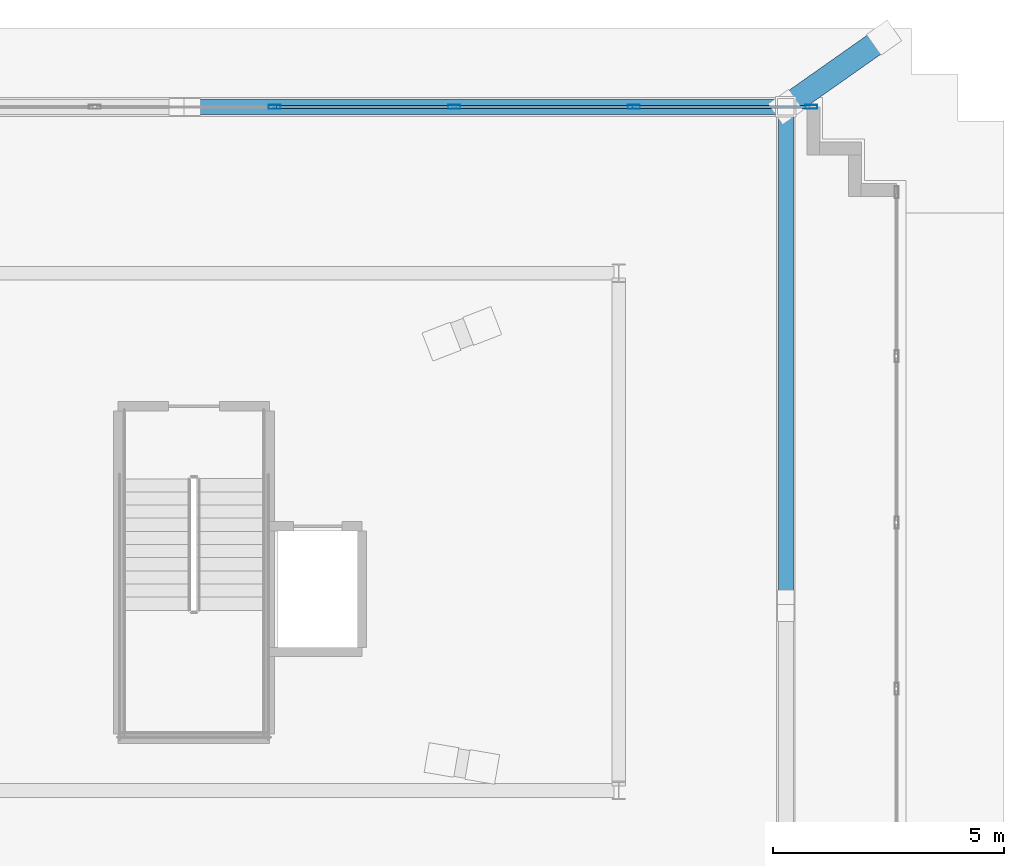
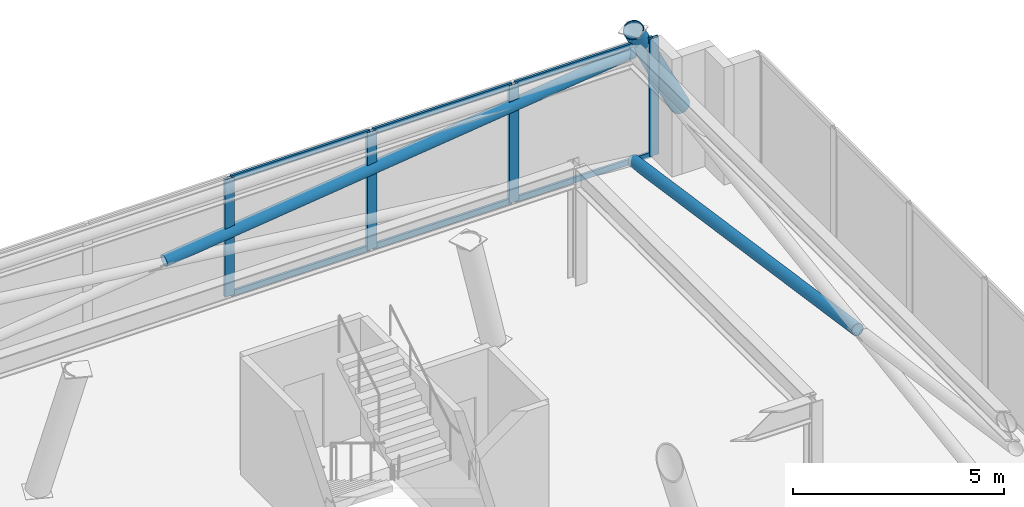
# One storey, part 9 of 15: 13 members, 1 element without a shape of its own.
"""IFC4 building model written with IfcOpenShell, lengths in metres."""

from ifc_helpers import new_model, si_unit, direction, frame, origin, origin_2d, place, context, subcontext, project, spatial, hollow_rectangle, hollow_circle, extrude, material, layer, layer_set, material_profile, profile_set, type_object, element, aggregate, save


model = new_model("IFC4")

# Units and contexts
model_context = context("Model", 3, precision=1e-05, world=origin(), true_north=direction((0.0, 1.0)))
body_context = subcontext(model_context, "Body", "Model", "MODEL_VIEW")
ifc_project = project(units=[si_unit("LENGTHUNIT", "METRE"), si_unit("AREAUNIT", "SQUARE_METRE"), si_unit("VOLUMEUNIT", "CUBIC_METRE"), si_unit("PLANEANGLEUNIT", "RADIAN"), si_unit("MASSUNIT", "GRAM", prefix="KILO")], contexts=[model_context])

# Site, building, storey
site_placement = place(None, origin())
site = spatial("IfcSite", under=ifc_project, at=site_placement, CompositionType="ELEMENT")
building_placement = place(site_placement, origin())
building = spatial("IfcBuilding", under=site, at=building_placement, Name="Qobustan Lattice House", CompositionType="ELEMENT")
storey_placement = place(building_placement, frame((0.0, 0.0, 281.60009765625)))
storey = spatial("IfcBuildingStorey", under=building, at=storey_placement, Name="L79", CompositionType="ELEMENT", Elevation=281.60009765625)

# Curtain wall, members
ifc_material_1 = material(Name="Anodised aluminium and low-E glazing", Category="aluminium")
ifc_layer = layer(ifc_material_1, 0.219970703125)
ifc_layer_set = layer_set([ifc_layer], Name="Anodised aluminium and low-E glazing")
curtain_wall_type = type_object("IfcCurtainWallType", Name="CW-CRN-01", PredefinedType="USERDEFINED", material=ifc_layer_set)
curtain_wall_placement = place(storey_placement, origin())
curtain_wall = element("IfcCurtainWall", 1, at=curtain_wall_placement, inside=storey, type_object=curtain_wall_type, Name="L79 glass-point crown faceted curtain wall 10", ObjectType="CURTAIN WALL", PredefinedType="USERDEFINED")
ifc_material_2 = material(Name="Anodised aluminium EN AW-6063 T6", Category="aluminium")
ifc_material_profile_1 = material_profile(ifc_material_2, hollow_rectangle(XDim=0.090087890625, YDim=0.260009765625, WallThickness=0.006103515625, at=origin_2d()), Name="CWM-CROWN-260x90")
ifc_profile_set_1 = profile_set([ifc_material_profile_1], Name="Anodised aluminium EN AW-6063 T6")
member_type_1 = type_object("IfcMemberType", Name="CWM-CRN-260", PredefinedType="MULLION", material=ifc_profile_set_1)
member_1_placement = place(storey_placement, frame((1.74560546875, 9.205078125, 0.0), z_axis=(0.0, 0.0, 1.0), x_axis=(0.0, 1.0, 0.0)))
member_1 = element("IfcMember", 2, at=member_1_placement, type_object=member_type_1, Name="CW-CR mullion 5", PredefinedType="MULLION", context=body_context, shape_type="SweptSolid", body=[
    extrude(hollow_rectangle(XDim=0.090087890625, YDim=0.260009765625, WallThickness=0.006103515625, at=origin_2d()), origin(), (0.0, 0.0, 1.0), 3.39990234375),
])
member_2_placement = place(storey_placement, frame((5.63720703125, 9.205078125, 0.0), z_axis=(0.0, 0.0, 1.0), x_axis=(0.0, 1.0, 0.0)))
member_2 = element("IfcMember", 3, at=member_2_placement, type_object=member_type_1, Name="CW-CR mullion 6", PredefinedType="MULLION", context=body_context, shape_type="SweptSolid", body=[
    extrude(hollow_rectangle(XDim=0.090087890625, YDim=0.260009765625, WallThickness=0.006103515625, at=origin_2d()), origin(), (0.0, 0.0, 1.0), 3.39990234375),
])
member_3_placement = place(storey_placement, frame((9.528564453125, 9.205078125, 0.0), z_axis=(0.0, 0.0, 1.0), x_axis=(0.0, 1.0, 0.0)))
member_3 = element("IfcMember", 4, at=member_3_placement, type_object=member_type_1, Name="CW-CR mullion 7", PredefinedType="MULLION", context=body_context, shape_type="SweptSolid", body=[
    extrude(hollow_rectangle(XDim=0.090087890625, YDim=0.260009765625, WallThickness=0.006103515625, at=origin_2d()), origin(), (0.0, 0.0, 1.0), 3.39990234375),
])
member_4_placement = place(storey_placement, frame((13.375, 9.205078125, 0.0), z_axis=(0.0, 0.0, 1.0), x_axis=(0.0, 1.0, 0.0)))
member_4 = element("IfcMember", 5, at=member_4_placement, type_object=member_type_1, Name="CW-CR mullion 8", PredefinedType="MULLION", context=body_context, shape_type="SweptSolid", body=[
    extrude(hollow_rectangle(XDim=0.090087890625, YDim=0.260009765625, WallThickness=0.006103515625, at=origin_2d()), origin(), (0.0, 0.0, 1.0), 3.39990234375),
])
ifc_material_3 = material(Name="Anodised aluminium EN AW-6063 T6", Category="aluminium")
ifc_material_profile_2 = material_profile(ifc_material_3, hollow_rectangle(XDim=0.06494140625, YDim=0.159912109375, WallThickness=0.00390625, at=origin_2d()), Name="CWT-160x65")
ifc_profile_set_2 = profile_set([ifc_material_profile_2], Name="Anodised aluminium EN AW-6063 T6")
member_type_2 = type_object("IfcMemberType", Name="CWT-HOR-160", PredefinedType="USERDEFINED", material=ifc_profile_set_2)
member_5_placement = place(storey_placement, frame((1.790771484375, 9.205078125, 0.032470703125), z_axis=(1.0, 0.0, 0.0), x_axis=(0.0, 1.0, 0.0)))
member_5 = element("IfcMember", 6, at=member_5_placement, type_object=member_type_2, Name="CW-CR transom 5.1", ObjectType="TRANSOM", PredefinedType="USERDEFINED", context=body_context, shape_type="SweptSolid", body=[
    extrude(hollow_rectangle(XDim=0.06494140625, YDim=0.159912109375, WallThickness=0.00390625, at=origin_2d()), origin(), (0.0, 0.0, 1.0), 3.80126953125),
])
member_6_placement = place(storey_placement, frame((1.790771484375, 9.205078125, 3.367431640625), z_axis=(1.0, 0.0, 0.0), x_axis=(0.0, 1.0, 0.0)))
member_6 = element("IfcMember", 7, at=member_6_placement, type_object=member_type_2, Name="CW-CR transom 5.2", ObjectType="TRANSOM", PredefinedType="USERDEFINED", context=body_context, shape_type="SweptSolid", body=[
    extrude(hollow_rectangle(XDim=0.06494140625, YDim=0.159912109375, WallThickness=0.00390625, at=origin_2d()), origin(), (0.0, 0.0, 1.0), 3.80126953125),
])
member_7_placement = place(storey_placement, frame((5.68212890625, 9.205078125, 0.032470703125), z_axis=(1.0, 0.0, 0.0), x_axis=(0.0, 1.0, 0.0)))
member_7 = element("IfcMember", 8, at=member_7_placement, type_object=member_type_2, Name="CW-CR transom 6.1", ObjectType="TRANSOM", PredefinedType="USERDEFINED", context=body_context, shape_type="SweptSolid", body=[
    extrude(hollow_rectangle(XDim=0.06494140625, YDim=0.159912109375, WallThickness=0.00390625, at=origin_2d()), origin(), (0.0, 0.0, 1.0), 3.801513671875),
])
member_8_placement = place(storey_placement, frame((5.68212890625, 9.205078125, 3.367431640625), z_axis=(1.0, 0.0, 0.0), x_axis=(0.0, 1.0, 0.0)))
member_8 = element("IfcMember", 9, at=member_8_placement, type_object=member_type_2, Name="CW-CR transom 6.2", ObjectType="TRANSOM", PredefinedType="USERDEFINED", context=body_context, shape_type="SweptSolid", body=[
    extrude(hollow_rectangle(XDim=0.06494140625, YDim=0.159912109375, WallThickness=0.00390625, at=origin_2d()), origin(), (0.0, 0.0, 1.0), 3.801513671875),
])
member_9_placement = place(storey_placement, frame((9.573486328125, 9.205078125, 0.032470703125), z_axis=(1.0, 0.0, 0.0), x_axis=(0.0, 1.0, 0.0)))
member_9 = element("IfcMember", 10, at=member_9_placement, type_object=member_type_2, Name="CW-CR transom 7.1", ObjectType="TRANSOM", PredefinedType="USERDEFINED", context=body_context, shape_type="SweptSolid", body=[
    extrude(hollow_rectangle(XDim=0.06494140625, YDim=0.159912109375, WallThickness=0.00390625, at=origin_2d()), origin(), (0.0, 0.0, 1.0), 3.756591796875),
])
member_10_placement = place(storey_placement, frame((9.573486328125, 9.205078125, 3.367431640625), z_axis=(1.0, 0.0, 0.0), x_axis=(0.0, 1.0, 0.0)))
member_10 = element("IfcMember", 11, at=member_10_placement, type_object=member_type_2, Name="CW-CR transom 7.2", ObjectType="TRANSOM", PredefinedType="USERDEFINED", context=body_context, shape_type="SweptSolid", body=[
    extrude(hollow_rectangle(XDim=0.06494140625, YDim=0.159912109375, WallThickness=0.00390625, at=origin_2d()), origin(), (0.0, 0.0, 1.0), 3.756591796875),
])
aggregate(curtain_wall, [member_1, member_2, member_3, member_4, member_5, member_6, member_7, member_8, member_9, member_10])

# Members
ifc_material_4 = material(Name="Steel S355", Category="steel")
ifc_material_profile_3 = material_profile(ifc_material_4, hollow_circle(Radius=0.161865234375, WallThickness=0.012451171875, at=origin_2d()), Name="CHS323.9x12.5")
ifc_profile_set_3 = profile_set([ifc_material_profile_3], Name="Steel S355")
member_type_3 = type_object("IfcMemberType", Name="MEM-CBR-CHS324", PredefinedType="BRACE", material=ifc_profile_set_3)
member_11_placement = place(storey_placement, frame((12.820068359375, 9.205078125, 0.014892578125), z_axis=(0.0, -0.989445189346, 0.144907616367), x_axis=(1.0, 0.0, 0.0)))
element("IfcMember", 12, at=member_11_placement, inside=storey, type_object=member_type_3, Name="L79 crown diagrid split brace 2B lower", PredefinedType="BRACE", context=body_context, shape_type="SweptSolid", body=[
    extrude(hollow_circle(Radius=0.161865234375, WallThickness=0.012451171875, at=origin_2d()), origin(), (0.0, 0.0, 1.0), 10.75244140625),
])
member_12_placement = place(storey_placement, frame((-0.033203125, 9.205078125, 1.61767578125), z_axis=(0.992694208384, 0.0, 0.120657401931), x_axis=(0.0, 1.0, 0.0)))
element("IfcMember", 13, at=member_12_placement, inside=storey, type_object=member_type_3, Name="L79 crown diagrid split brace 3B upper", PredefinedType="BRACE", context=body_context, shape_type="SweptSolid", body=[
    extrude(hollow_circle(Radius=0.161865234375, WallThickness=0.012451171875, at=origin_2d()), origin(), (0.0, 0.0, 1.0), 12.94775390625),
])
ifc_material_5 = material(Name="Steel S355", Category="steel")
ifc_material_profile_4 = material_profile(ifc_material_5, hollow_circle(Radius=0.25390625, WallThickness=0.02001953125, at=origin_2d()), Name="CHS508x20")
ifc_profile_set_4 = profile_set([ifc_material_profile_4], Name="Steel S355")
member_type_4 = type_object("IfcMemberType", Name="MEM-STR-CHS508", PredefinedType="STRUT", material=ifc_profile_set_4)
member_13_placement = place(storey_placement, frame((14.946533203125, 10.70361328125, 0.0), z_axis=(-0.461773572217, -0.32541517638, 0.825148550859), x_axis=(0.576041902773, -0.817420165062, 0.0)))
element("IfcMember", 14, at=member_13_placement, inside=storey, type_object=member_type_4, Name="L79 crown corner raking strut 3", PredefinedType="STRUT", context=body_context, shape_type="SweptSolid", body=[
    extrude(hollow_circle(Radius=0.25390625, WallThickness=0.02001953125, at=origin_2d()), origin(), (0.0, 0.0, 1.0), 4.60498046875),
])

save(model, "model.ifc")
